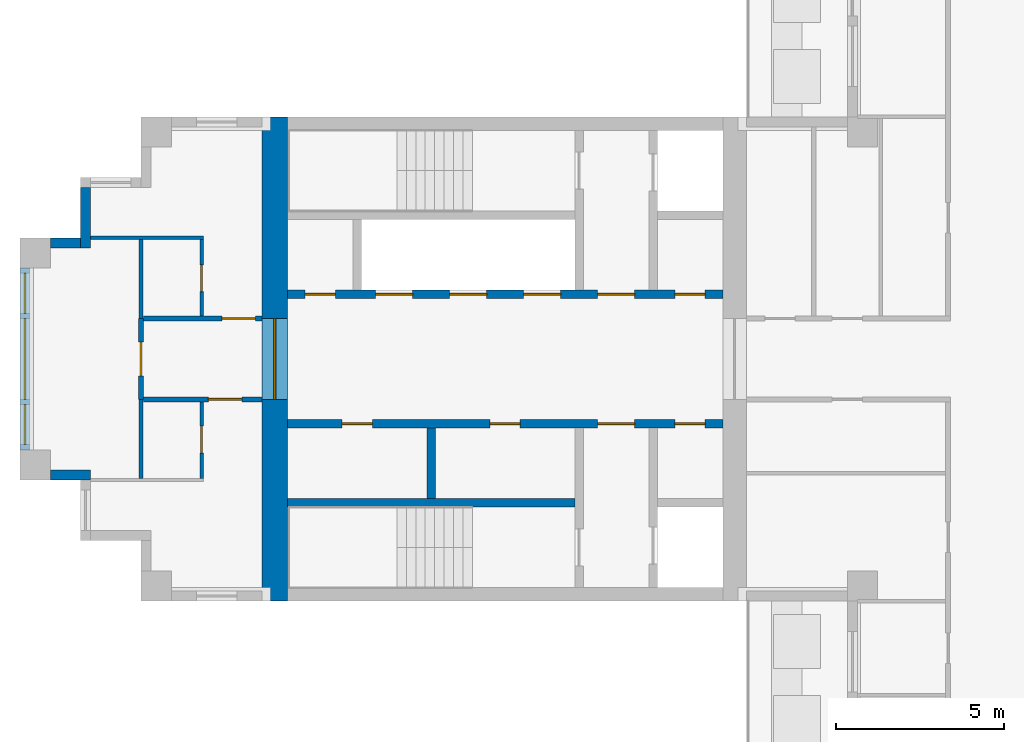
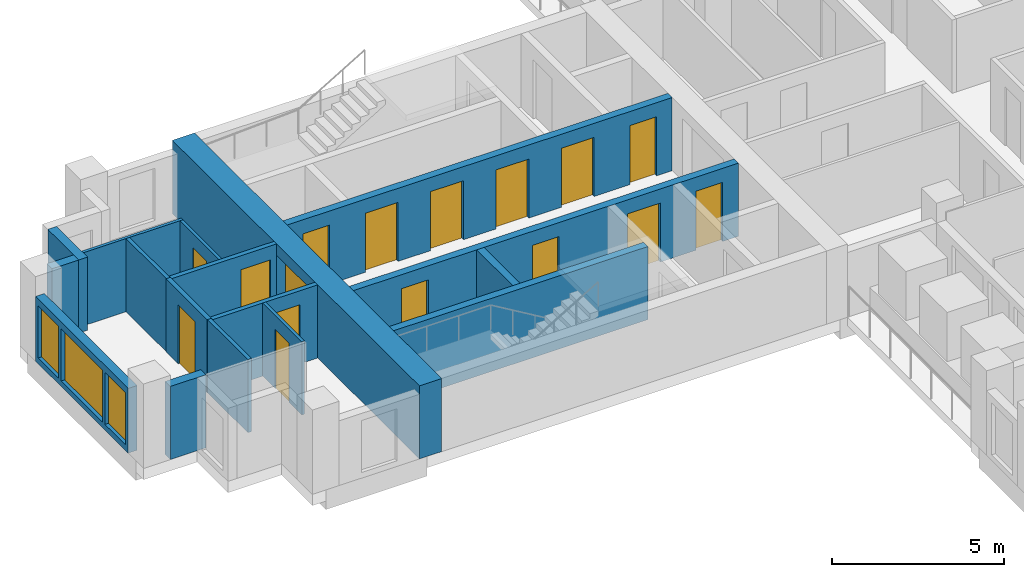
# One storey, part 3 of 10: 17 walls, 16 doors, 3 windows, 19 openings.
"""IFC4 building model written with IfcOpenShell, lengths in metres."""

from ifc_helpers import new_model, si_unit, direction, frame, frame_2d, origin, place, context, subcontext, project, spatial, rectangle, extrude, material, layer, layer_set, type_object, element, fill, save


model = new_model("IFC4")

# Units and contexts
model_context = context("Model", 3, precision=1e-05, world=origin(), true_north=direction((0.0, 1.0)))
body_context = subcontext(model_context, "Body", "Model", "MODEL_VIEW")
ifc_project = project(units=[si_unit("LENGTHUNIT", "METRE"), si_unit("AREAUNIT", "SQUARE_METRE"), si_unit("VOLUMEUNIT", "CUBIC_METRE"), si_unit("PLANEANGLEUNIT", "RADIAN"), si_unit("MASSUNIT", "GRAM", prefix="KILO")], contexts=[model_context])

# Site, building, storey
site_placement = place(None, origin())
site = spatial("IfcSite", under=ifc_project, at=site_placement, CompositionType="ELEMENT")
building_placement = place(site_placement, origin())
building = spatial("IfcBuilding", under=site, at=building_placement, Name="Fustian Cross Tower", CompositionType="ELEMENT")
storey_placement = place(building_placement, frame((0.0, 0.0, 201.89990234375)))
storey = spatial("IfcBuildingStorey", under=building, at=storey_placement, Name="L63", CompositionType="ELEMENT", Elevation=201.89990234375)

# Wall, opening, door
ifc_material_1 = material(Name="Plasterboard on steel stud", Category="steel")
ifc_layer_1 = layer(ifc_material_1, 0.14990234375)
ifc_layer_set_1 = layer_set([ifc_layer_1], Name="Plasterboard on steel stud")
wall_type_1 = type_object("IfcWallType", Name="COMPARTMENT WALL 150 EI 60", PredefinedType="PARTITIONING", material=ifc_layer_set_1)
wall_1_placement = place(storey_placement, frame((-25.199951171875, -1.199951171875, 0.0), z_axis=(0.0, 0.0, 1.0), x_axis=(0.0, 1.0, 0.0)))
wall_1 = element("IfcWall", 1, at=wall_1_placement, inside=storey, type_object=wall_type_1, Name="Partition 4", PredefinedType="PARTITIONING", context=body_context, shape_type="SweptSolid", body=[
    extrude(rectangle(XDim=2.39990234375, YDim=0.14990234375, at=frame_2d((1.199951171875, 0.0))), origin(), (0.0, 0.0, 1.0), 2.60009765625),
])
opening_1_placement = place(wall_1_placement, frame((0.699951171875, 0.0, 0.0)))
opening_1 = element("IfcOpeningElement", 2, at=opening_1_placement, cuts=wall_1, Name="Opening D29021", PredefinedType="OPENING", context=body_context, shape_type="SweptSolid", body=[
    extrude(rectangle(XDim=1.0, YDim=2.10009765625, at=frame_2d((0.5, 1.050048828125))), frame((0.0, 0.0849609375, 0.0), z_axis=(0.0, -1.0, 0.0), x_axis=(1.0, 0.0, 0.0)), (0.0, 0.0, 1.0), 0.169921875),
])
ifc_material_2 = material(Name="Timber fire door set", Category="wood")
door_type_1 = type_object("IfcDoorType", Name="FIRE SWING DOOR 1000 FD30S", OperationType="SINGLE_SWING_LEFT", PredefinedType="DOOR", material=ifc_material_2)
door_1_placement = place(opening_1_placement, origin())
door_1 = element("IfcDoor", 3, at=door_1_placement, inside=storey, type_object=door_type_1, Name="Door D29021", OperationType="SINGLE_SWING_LEFT", OverallHeight=2.10009765625, OverallWidth=1.0, PredefinedType="DOOR", context=body_context, shape_type="SweptSolid", body=[
    extrude(rectangle(XDim=1.0, YDim=2.10009765625, at=frame_2d((0.5, 1.050048828125))), frame((0.0, 0.02490234375, 0.0), z_axis=(0.0, -1.0, 0.0), x_axis=(1.0, 0.0, 0.0)), (0.0, 0.0, 1.0), 0.050048828125),
])
fill(opening_1, door_1)

wall_2_placement = place(storey_placement, frame((-25.125, -1.199951171875, 0.0), z_axis=(0.0, 0.0, 1.0), x_axis=(1.0, 0.0, 0.0)))
wall_2 = element("IfcWall", 4, at=wall_2_placement, inside=storey, type_object=wall_type_1, Name="Partition 5", PredefinedType="PARTITIONING", context=body_context, shape_type="SweptSolid", body=[
    extrude(rectangle(XDim=3.52490234375, YDim=0.14990234375, at=frame_2d((1.762451171875, 0.0))), origin(), (0.0, 0.0, 1.0), 2.60009765625),
])
opening_2_placement = place(wall_2_placement, frame((1.925048828125, 0.0, 0.0)))
opening_2 = element("IfcOpeningElement", 5, at=opening_2_placement, cuts=wall_2, Name="Opening D29023", PredefinedType="OPENING", context=body_context, shape_type="SweptSolid", body=[
    extrude(rectangle(XDim=1.0, YDim=2.10009765625, at=frame_2d((0.5, 1.050048828125))), frame((0.0, 0.0849609375, 0.0), z_axis=(0.0, -1.0, 0.0), x_axis=(1.0, 0.0, 0.0)), (0.0, 0.0, 1.0), 0.169921875),
])
door_2_placement = place(opening_2_placement, frame((1.0, 0.0, 0.0), z_axis=(0.0, 0.0, 1.0), x_axis=(-1.0, 0.0, 0.0)))
door_2 = element("IfcDoor", 6, at=door_2_placement, inside=storey, type_object=door_type_1, Name="Door D29023", OperationType="SINGLE_SWING_RIGHT", OverallHeight=2.10009765625, OverallWidth=1.0, PredefinedType="DOOR", context=body_context, shape_type="SweptSolid", body=[
    extrude(rectangle(XDim=1.0, YDim=2.10009765625, at=frame_2d((0.5, 1.050048828125))), frame((0.0, 0.02490234375, 0.0), z_axis=(0.0, -1.0, 0.0), x_axis=(1.0, 0.0, 0.0)), (0.0, 0.0, 1.0), 0.050048828125),
])
fill(opening_2, door_2)

wall_3_placement = place(storey_placement, frame((-25.125, 1.199951171875, 0.0), z_axis=(0.0, 0.0, 1.0), x_axis=(1.0, 0.0, 0.0)))
wall_3 = element("IfcWall", 7, at=wall_3_placement, inside=storey, type_object=wall_type_1, Name="Partition 7", PredefinedType="PARTITIONING", context=body_context, shape_type="SweptSolid", body=[
    extrude(rectangle(XDim=3.52490234375, YDim=0.14990234375, at=frame_2d((1.762451171875, 0.0))), origin(), (0.0, 0.0, 1.0), 2.60009765625),
])
opening_3_placement = place(wall_3_placement, frame((2.324951171875, 0.0, 0.0)))
opening_3 = element("IfcOpeningElement", 8, at=opening_3_placement, cuts=wall_3, Name="Opening D29025", PredefinedType="OPENING", context=body_context, shape_type="SweptSolid", body=[
    extrude(rectangle(XDim=1.0, YDim=2.10009765625, at=frame_2d((0.5, 1.050048828125))), frame((0.0, 0.0849609375, 0.0), z_axis=(0.0, -1.0, 0.0), x_axis=(1.0, 0.0, 0.0)), (0.0, 0.0, 1.0), 0.169921875),
])
door_3_placement = place(opening_3_placement, origin())
door_3 = element("IfcDoor", 9, at=door_3_placement, inside=storey, type_object=door_type_1, Name="Door D29025", OperationType="SINGLE_SWING_RIGHT", OverallHeight=2.10009765625, OverallWidth=1.0, PredefinedType="DOOR", context=body_context, shape_type="SweptSolid", body=[
    extrude(rectangle(XDim=1.0, YDim=2.10009765625, at=frame_2d((0.5, 1.050048828125))), frame((0.0, 0.02490234375, 0.0), z_axis=(0.0, -1.0, 0.0), x_axis=(1.0, 0.0, 0.0)), (0.0, 0.0, 1.0), 0.050048828125),
])
fill(opening_3, door_3)

ifc_material_3 = material(Name="Concrete C50/60", Category="concrete")
ifc_layer_2 = layer(ifc_material_3, 0.75)
ifc_layer_set_2 = layer_set([ifc_layer_2], Name="Concrete C50/60")
wall_type_2 = type_object("IfcWallType", Name="CORE END WALL 750 C50/60", PredefinedType="SHEAR", material=ifc_layer_set_2)
wall_4_placement = place(storey_placement, frame((-21.22509765625, -7.199951171875, 0.0), z_axis=(0.0, 0.0, 1.0), x_axis=(0.0, 1.0, 0.0)))
wall_4 = element("IfcWall", 10, at=wall_4_placement, inside=storey, type_object=wall_type_2, Name="Core end wall", PredefinedType="SHEAR", context=body_context, shape_type="SweptSolid", body=[
    extrude(rectangle(XDim=14.39990234375, YDim=0.75, at=frame_2d((7.199951171875, 0.0))), origin(), (0.0, 0.0, 1.0), 2.60009765625),
])
opening_4_placement = place(wall_4_placement, frame((6.0, 0.0, 0.0)))
opening_4 = element("IfcOpeningElement", 11, at=opening_4_placement, cuts=wall_4, Name="Opening CD-27-29", PredefinedType="OPENING", context=body_context, shape_type="SweptSolid", body=[
    extrude(rectangle(XDim=2.39990234375, YDim=2.199951171875, at=frame_2d((1.199951171875, 1.10009765625))), frame((0.0, 0.385009765625, 0.0), z_axis=(0.0, -1.0, 0.0), x_axis=(1.0, 0.0, 0.0)), (0.0, 0.0, 1.0), 0.77001953125),
])
ifc_material_4 = material(Name="Steel", Category="steel")
door_type_2 = type_object("IfcDoorType", Name="FIRE DOOR FD30S DOUBLE 2400X2200", OperationType="DOUBLE_DOOR_DOUBLE_SWING", PredefinedType="DOOR", material=ifc_material_4)
door_4_placement = place(opening_4_placement, frame((2.39990234375, 0.0, 0.0), z_axis=(0.0, 0.0, 1.0), x_axis=(-1.0, 0.0, 0.0)))
door_4 = element("IfcDoor", 12, at=door_4_placement, inside=storey, type_object=door_type_2, Name="Core door CD-27-29", OperationType="DOUBLE_DOOR_DOUBLE_SWING", OverallHeight=2.199951171875, OverallWidth=2.39990234375, PredefinedType="DOOR", context=body_context, shape_type="SweptSolid", body=[
    extrude(rectangle(XDim=2.39990234375, YDim=2.199951171875, at=frame_2d((1.199951171875, 1.10009765625))), frame((0.0, 0.02490234375, 0.0), z_axis=(0.0, -1.0, 0.0), x_axis=(1.0, 0.0, 0.0)), (0.0, 0.0, 1.0), 0.050048828125),
])
fill(opening_4, door_4)

# Wall, openings, doors
ifc_material_5 = material(Name="Concrete C50/60", Category="concrete")
ifc_layer_3 = layer(ifc_material_5, 0.25)
ifc_layer_set_3 = layer_set([ifc_layer_3], Name="Concrete C50/60")
wall_type_3 = type_object("IfcWallType", Name="CORE LOBBY WALL 250 C50/60", PredefinedType="SHEAR", material=ifc_layer_set_3)
wall_5_placement = place(storey_placement, frame((-7.89990234375, 1.925048828125, 0.0), z_axis=(0.0, 0.0, 1.0), x_axis=(-1.0, 0.0, 0.0)))
wall_5 = element("IfcWall", 13, at=wall_5_placement, inside=storey, type_object=wall_type_3, Name="Core lobby wall", PredefinedType="SHEAR", context=body_context, shape_type="SweptSolid", body=[
    extrude(rectangle(XDim=12.9501953125, YDim=0.25, at=frame_2d((6.47509765625, 0.0))), origin(), (0.0, 0.0, 1.0), 2.60009765625),
])
opening_5_placement = place(wall_5_placement, frame((4.824951171875, 0.0, 0.0)))
opening_5 = element("IfcOpeningElement", 14, at=opening_5_placement, cuts=wall_5, Name="Opening LD", PredefinedType="OPENING", context=body_context, shape_type="SweptSolid", body=[
    extrude(rectangle(XDim=1.10009765625, YDim=2.10009765625, at=frame_2d((0.550048828125, 1.050048828125))), frame((0.0, 0.135009765625, 0.0), z_axis=(0.0, -1.0, 0.0), x_axis=(1.0, 0.0, 0.0)), (0.0, 0.0, 1.0), 0.27001953125),
])
opening_6_placement = place(wall_5_placement, frame((7.02490234375, 0.0, 0.0)))
opening_6 = element("IfcOpeningElement", 15, at=opening_6_placement, cuts=wall_5, Name="Opening LD", PredefinedType="OPENING", context=body_context, shape_type="SweptSolid", body=[
    extrude(rectangle(XDim=1.10009765625, YDim=2.10009765625, at=frame_2d((0.550048828125, 1.050048828125))), frame((0.0, 0.135009765625, 0.0), z_axis=(0.0, -1.0, 0.0), x_axis=(1.0, 0.0, 0.0)), (0.0, 0.0, 1.0), 0.27001953125),
])
opening_7_placement = place(wall_5_placement, frame((9.22509765625, 0.0, 0.0)))
opening_7 = element("IfcOpeningElement", 16, at=opening_7_placement, cuts=wall_5, Name="Opening LD", PredefinedType="OPENING", context=body_context, shape_type="SweptSolid", body=[
    extrude(rectangle(XDim=1.10009765625, YDim=2.10009765625, at=frame_2d((0.550048828125, 1.050048828125))), frame((0.0, 0.135009765625, 0.0), z_axis=(0.0, -1.0, 0.0), x_axis=(1.0, 0.0, 0.0)), (0.0, 0.0, 1.0), 0.27001953125),
])
opening_8_placement = place(wall_5_placement, frame((0.52490234375, 0.0, 0.0)))
opening_8 = element("IfcOpeningElement", 17, at=opening_8_placement, cuts=wall_5, Name="Opening CD-27-24", PredefinedType="OPENING", context=body_context, shape_type="SweptSolid", body=[
    extrude(rectangle(XDim=0.89990234375, YDim=2.10009765625, at=frame_2d((0.449951171875, 1.050048828125))), frame((0.0, 0.135009765625, 0.0), z_axis=(0.0, -1.0, 0.0), x_axis=(1.0, 0.0, 0.0)), (0.0, 0.0, 1.0), 0.27001953125),
])
opening_9_placement = place(wall_5_placement, frame((2.625, 0.0, 0.0)))
opening_9 = element("IfcOpeningElement", 18, at=opening_9_placement, cuts=wall_5, Name="Opening CD-27-26", PredefinedType="OPENING", context=body_context, shape_type="SweptSolid", body=[
    extrude(rectangle(XDim=1.10009765625, YDim=2.10009765625, at=frame_2d((0.550048828125, 1.050048828125))), frame((0.0, 0.135009765625, 0.0), z_axis=(0.0, -1.0, 0.0), x_axis=(1.0, 0.0, 0.0)), (0.0, 0.0, 1.0), 0.27001953125),
])
opening_10_placement = place(wall_5_placement, frame((11.52490234375, 0.0, 0.0)))
opening_10 = element("IfcOpeningElement", 19, at=opening_10_placement, cuts=wall_5, Name="Opening CD-27-30", PredefinedType="OPENING", context=body_context, shape_type="SweptSolid", body=[
    extrude(rectangle(XDim=0.89990234375, YDim=2.10009765625, at=frame_2d((0.449951171875, 1.050048828125))), frame((0.0, 0.135009765625, 0.0), z_axis=(0.0, -1.0, 0.0), x_axis=(1.0, 0.0, 0.0)), (0.0, 0.0, 1.0), 0.27001953125),
])
ifc_material_6 = material(Name="Steel", Category="steel")
door_type_3 = type_object("IfcDoorType", Name="FIRE DOOR FD30S 900X2100", OperationType="SINGLE_SWING_LEFT", PredefinedType="DOOR", material=ifc_material_6)
door_5_placement = place(opening_10_placement, frame((0.89990234375, 0.0, 0.0), z_axis=(0.0, 0.0, 1.0), x_axis=(-1.0, 0.0, 0.0)))
door_5 = element("IfcDoor", 20, at=door_5_placement, inside=storey, type_object=door_type_3, Name="Core door CD-27-30", OperationType="SINGLE_SWING_RIGHT", OverallHeight=2.10009765625, OverallWidth=0.89990234375, PredefinedType="DOOR", context=body_context, shape_type="SweptSolid", body=[
    extrude(rectangle(XDim=0.89990234375, YDim=2.10009765625, at=frame_2d((0.449951171875, 1.050048828125))), frame((0.0, 0.02490234375, 0.0), z_axis=(0.0, -1.0, 0.0), x_axis=(1.0, 0.0, 0.0)), (0.0, 0.0, 1.0), 0.050048828125),
])
fill(opening_10, door_5)
ifc_material_7 = material(Name="Steel", Category="steel")
door_type_4 = type_object("IfcDoorType", Name="FIRE DOOR FD60S 1100X2100", OperationType="SINGLE_SWING_LEFT", PredefinedType="DOOR", material=ifc_material_7)
door_6_placement = place(opening_9_placement, frame((1.10009765625, 0.0, 0.0), z_axis=(0.0, 0.0, 1.0), x_axis=(-1.0, 0.0, 0.0)))
door_6 = element("IfcDoor", 21, at=door_6_placement, inside=storey, type_object=door_type_4, Name="Core door CD-27-26", OperationType="SINGLE_SWING_RIGHT", OverallHeight=2.10009765625, OverallWidth=1.10009765625, PredefinedType="DOOR", context=body_context, shape_type="SweptSolid", body=[
    extrude(rectangle(XDim=1.10009765625, YDim=2.10009765625, at=frame_2d((0.550048828125, 1.050048828125))), frame((0.0, 0.02490234375, 0.0), z_axis=(0.0, -1.0, 0.0), x_axis=(1.0, 0.0, 0.0)), (0.0, 0.0, 1.0), 0.050048828125),
])
fill(opening_9, door_6)
ifc_material_8 = material(Name="Steel", Category="steel")
door_type_5 = type_object("IfcDoorType", Name="FIRE DOOR FD60S 900X2100", OperationType="SINGLE_SWING_LEFT", PredefinedType="DOOR", material=ifc_material_8)
door_7_placement = place(opening_8_placement, frame((0.89990234375, 0.0, 0.0), z_axis=(0.0, 0.0, 1.0), x_axis=(-1.0, 0.0, 0.0)))
door_7 = element("IfcDoor", 22, at=door_7_placement, inside=storey, type_object=door_type_5, Name="Core door CD-27-24", OperationType="SINGLE_SWING_RIGHT", OverallHeight=2.10009765625, OverallWidth=0.89990234375, PredefinedType="DOOR", context=body_context, shape_type="SweptSolid", body=[
    extrude(rectangle(XDim=0.89990234375, YDim=2.10009765625, at=frame_2d((0.449951171875, 1.050048828125))), frame((0.0, 0.02490234375, 0.0), z_axis=(0.0, -1.0, 0.0), x_axis=(1.0, 0.0, 0.0)), (0.0, 0.0, 1.0), 0.050048828125),
])
fill(opening_8, door_7)
ifc_material_9 = material(Name="Stainless steel", Category="steel")
door_type_6 = type_object("IfcDoorType", Name="LIFT LANDING DOOR 1100X2100", OperationType="SLIDING_TO_LEFT", PredefinedType="DOOR", material=ifc_material_9)
door_8_placement = place(opening_5_placement, origin())
door_8 = element("IfcDoor", 23, at=door_8_placement, inside=storey, type_object=door_type_6, Name="Landing door HR1W", OperationType="SLIDING_TO_LEFT", OverallHeight=2.10009765625, OverallWidth=1.10009765625, PredefinedType="DOOR", context=body_context, shape_type="SweptSolid", body=[
    extrude(rectangle(XDim=1.10009765625, YDim=2.10009765625, at=frame_2d((0.550048828125, 1.050048828125))), frame((0.0, 0.02490234375, 0.0), z_axis=(0.0, -1.0, 0.0), x_axis=(1.0, 0.0, 0.0)), (0.0, 0.0, 1.0), 0.050048828125),
])
fill(opening_5, door_8)
door_9_placement = place(opening_6_placement, origin())
door_9 = element("IfcDoor", 24, at=door_9_placement, inside=storey, type_object=door_type_6, Name="Landing door HR2W", OperationType="SLIDING_TO_LEFT", OverallHeight=2.10009765625, OverallWidth=1.10009765625, PredefinedType="DOOR", context=body_context, shape_type="SweptSolid", body=[
    extrude(rectangle(XDim=1.10009765625, YDim=2.10009765625, at=frame_2d((0.550048828125, 1.050048828125))), frame((0.0, 0.02490234375, 0.0), z_axis=(0.0, -1.0, 0.0), x_axis=(1.0, 0.0, 0.0)), (0.0, 0.0, 1.0), 0.050048828125),
])
fill(opening_6, door_9)
door_10_placement = place(opening_7_placement, origin())
door_10 = element("IfcDoor", 25, at=door_10_placement, inside=storey, type_object=door_type_6, Name="Landing door HR3W", OperationType="SLIDING_TO_LEFT", OverallHeight=2.10009765625, OverallWidth=1.10009765625, PredefinedType="DOOR", context=body_context, shape_type="SweptSolid", body=[
    extrude(rectangle(XDim=1.10009765625, YDim=2.10009765625, at=frame_2d((0.550048828125, 1.050048828125))), frame((0.0, 0.02490234375, 0.0), z_axis=(0.0, -1.0, 0.0), x_axis=(1.0, 0.0, 0.0)), (0.0, 0.0, 1.0), 0.050048828125),
])
fill(opening_7, door_10)

wall_6_placement = place(storey_placement, frame((-7.89990234375, -1.925048828125, 0.0), z_axis=(0.0, 0.0, 1.0), x_axis=(-1.0, 0.0, 0.0)))
wall_6 = element("IfcWall", 26, at=wall_6_placement, inside=storey, type_object=wall_type_3, Name="Core lobby wall", PredefinedType="SHEAR", context=body_context, shape_type="SweptSolid", body=[
    extrude(rectangle(XDim=12.9501953125, YDim=0.25, at=frame_2d((6.47509765625, 0.0))), origin(), (0.0, 0.0, 1.0), 2.60009765625),
])
opening_11_placement = place(wall_6_placement, frame((0.52490234375, 0.0, 0.0)))
opening_11 = element("IfcOpeningElement", 27, at=opening_11_placement, cuts=wall_6, Name="Opening CD-27-25", PredefinedType="OPENING", context=body_context, shape_type="SweptSolid", body=[
    extrude(rectangle(XDim=0.89990234375, YDim=2.10009765625, at=frame_2d((0.449951171875, 1.050048828125))), frame((0.0, 0.135009765625, 0.0), z_axis=(0.0, -1.0, 0.0), x_axis=(1.0, 0.0, 0.0)), (0.0, 0.0, 1.0), 0.27001953125),
])
opening_12_placement = place(wall_6_placement, frame((2.625, 0.0, 0.0)))
opening_12 = element("IfcOpeningElement", 28, at=opening_12_placement, cuts=wall_6, Name="Opening CD-27-27", PredefinedType="OPENING", context=body_context, shape_type="SweptSolid", body=[
    extrude(rectangle(XDim=1.10009765625, YDim=2.10009765625, at=frame_2d((0.550048828125, 1.050048828125))), frame((0.0, 0.135009765625, 0.0), z_axis=(0.0, -1.0, 0.0), x_axis=(1.0, 0.0, 0.0)), (0.0, 0.0, 1.0), 0.27001953125),
])
opening_13_placement = place(wall_6_placement, frame((6.02490234375, 0.0, 0.0)))
opening_13 = element("IfcOpeningElement", 29, at=opening_13_placement, cuts=wall_6, Name="Opening CD-27-31", PredefinedType="OPENING", context=body_context, shape_type="SweptSolid", body=[
    extrude(rectangle(XDim=0.89990234375, YDim=2.10009765625, at=frame_2d((0.449951171875, 1.050048828125))), frame((0.0, 0.135009765625, 0.0), z_axis=(0.0, -1.0, 0.0), x_axis=(1.0, 0.0, 0.0)), (0.0, 0.0, 1.0), 0.27001953125),
])
opening_14_placement = place(wall_6_placement, frame((10.425048828125, 0.0, 0.0)))
opening_14 = element("IfcOpeningElement", 30, at=opening_14_placement, cuts=wall_6, Name="Opening CD-27-32", PredefinedType="OPENING", context=body_context, shape_type="SweptSolid", body=[
    extrude(rectangle(XDim=0.89990234375, YDim=2.10009765625, at=frame_2d((0.449951171875, 1.050048828125))), frame((0.0, 0.135009765625, 0.0), z_axis=(0.0, -1.0, 0.0), x_axis=(1.0, 0.0, 0.0)), (0.0, 0.0, 1.0), 0.27001953125),
])
ifc_material_10 = material(Name="Steel", Category="steel")
door_type_7 = type_object("IfcDoorType", Name="FIRE DOOR FD30S 1100X2100", OperationType="SINGLE_SWING_LEFT", PredefinedType="DOOR", material=ifc_material_10)
door_11_placement = place(opening_12_placement, frame((1.10009765625, 0.0, 0.0), z_axis=(0.0, 0.0, 1.0), x_axis=(-1.0, 0.0, 0.0)))
door_11 = element("IfcDoor", 31, at=door_11_placement, inside=storey, type_object=door_type_7, Name="Core door CD-27-27", OperationType="SINGLE_SWING_RIGHT", OverallHeight=2.10009765625, OverallWidth=1.10009765625, PredefinedType="DOOR", context=body_context, shape_type="SweptSolid", body=[
    extrude(rectangle(XDim=1.10009765625, YDim=2.10009765625, at=frame_2d((0.550048828125, 1.050048828125))), frame((0.0, 0.02490234375, 0.0), z_axis=(0.0, -1.0, 0.0), x_axis=(1.0, 0.0, 0.0)), (0.0, 0.0, 1.0), 0.050048828125),
])
fill(opening_12, door_11)
door_12_placement = place(opening_11_placement, origin())
door_12 = element("IfcDoor", 32, at=door_12_placement, inside=storey, type_object=door_type_3, Name="Core door CD-27-25", OperationType="SINGLE_SWING_LEFT", OverallHeight=2.10009765625, OverallWidth=0.89990234375, PredefinedType="DOOR", context=body_context, shape_type="SweptSolid", body=[
    extrude(rectangle(XDim=0.89990234375, YDim=2.10009765625, at=frame_2d((0.449951171875, 1.050048828125))), frame((0.0, 0.02490234375, 0.0), z_axis=(0.0, -1.0, 0.0), x_axis=(1.0, 0.0, 0.0)), (0.0, 0.0, 1.0), 0.050048828125),
])
fill(opening_11, door_12)
door_13_placement = place(opening_13_placement, origin())
door_13 = element("IfcDoor", 33, at=door_13_placement, inside=storey, type_object=door_type_3, Name="Core door CD-27-31", OperationType="SINGLE_SWING_RIGHT", OverallHeight=2.10009765625, OverallWidth=0.89990234375, PredefinedType="DOOR", context=body_context, shape_type="SweptSolid", body=[
    extrude(rectangle(XDim=0.89990234375, YDim=2.10009765625, at=frame_2d((0.449951171875, 1.050048828125))), frame((0.0, 0.02490234375, 0.0), z_axis=(0.0, -1.0, 0.0), x_axis=(1.0, 0.0, 0.0)), (0.0, 0.0, 1.0), 0.050048828125),
])
fill(opening_13, door_13)
door_14_placement = place(opening_14_placement, origin())
door_14 = element("IfcDoor", 34, at=door_14_placement, inside=storey, type_object=door_type_3, Name="Core door CD-27-32", OperationType="SINGLE_SWING_RIGHT", OverallHeight=2.10009765625, OverallWidth=0.89990234375, PredefinedType="DOOR", context=body_context, shape_type="SweptSolid", body=[
    extrude(rectangle(XDim=0.89990234375, YDim=2.10009765625, at=frame_2d((0.449951171875, 1.050048828125))), frame((0.0, 0.02490234375, 0.0), z_axis=(0.0, -1.0, 0.0), x_axis=(1.0, 0.0, 0.0)), (0.0, 0.0, 1.0), 0.050048828125),
])
fill(opening_14, door_14)

# Walls
ifc_material_11 = material(Name="Concrete C50/60", Category="concrete")
ifc_layer_4 = layer(ifc_material_11, 0.25)
ifc_layer_set_4 = layer_set([ifc_layer_4], Name="Concrete C50/60")
wall_type_4 = type_object("IfcWallType", Name="CORE SHAFT WALL 250 C50/60", PredefinedType="SHEAR", material=ifc_layer_set_4)
wall_7_placement = place(storey_placement, frame((-12.300048828125, -4.27490234375, 0.0), z_axis=(0.0, 0.0, 1.0), x_axis=(-1.0, 0.0, 0.0)))
element("IfcWall", 35, at=wall_7_placement, inside=storey, type_object=wall_type_4, Name="Core shaft wall", PredefinedType="SHEAR", context=body_context, shape_type="SweptSolid", body=[
    extrude(rectangle(XDim=8.550048828125, YDim=0.25, at=frame_2d((4.27490234375, 0.0))), origin(), (0.0, 0.0, 1.0), 2.60009765625),
])
ifc_material_12 = material(Name="Plasterboard on steel stud", Category="steel")
ifc_layer_5 = layer(ifc_material_12, 0.10009765625)
ifc_layer_set_5 = layer_set([ifc_layer_5], Name="Plasterboard on steel stud")
wall_type_5 = type_object("IfcWallType", Name="PARTITION 100 STUD", PredefinedType="PARTITIONING", material=ifc_layer_set_5)
wall_8_placement = place(storey_placement, frame((-26.699951171875, 3.60009765625, 0.0), z_axis=(0.0, 0.0, 1.0), x_axis=(1.0, 0.0, 0.0)))
element("IfcWall", 36, at=wall_8_placement, inside=storey, type_object=wall_type_5, Name="Partition 2", PredefinedType="PARTITIONING", context=body_context, shape_type="SweptSolid", body=[
    extrude(rectangle(XDim=3.349853515625, YDim=0.10009765625, at=frame_2d((1.6748046875, 0.0))), origin(), (0.0, 0.0, 1.0), 2.60009765625),
])

# Wall, opening, door
wall_9_placement = place(storey_placement, frame((-23.39990234375, -3.550048828125, 0.0), z_axis=(0.0, 0.0, 1.0), x_axis=(0.0, 1.0, 0.0)))
wall_9 = element("IfcWall", 37, at=wall_9_placement, inside=storey, type_object=wall_type_5, Name="Partition 8", PredefinedType="PARTITIONING", context=body_context, shape_type="SweptSolid", body=[
    extrude(rectangle(XDim=2.275146484375, YDim=0.10009765625, at=frame_2d((1.1376953125, 0.0))), origin(), (0.0, 0.0, 1.0), 2.60009765625),
])
opening_15_placement = place(wall_9_placement, frame((0.75, 0.0, 0.0)))
opening_15 = element("IfcOpeningElement", 38, at=opening_15_placement, cuts=wall_9, Name="Opening D29022", PredefinedType="OPENING", context=body_context, shape_type="SweptSolid", body=[
    extrude(rectangle(XDim=0.800048828125, YDim=2.10009765625, at=frame_2d((0.39990234375, 1.050048828125))), frame((0.0, 0.06005859375, 0.0), z_axis=(0.0, -1.0, 0.0), x_axis=(1.0, 0.0, 0.0)), (0.0, 0.0, 1.0), 0.1201171875),
])
ifc_material_13 = material(Name="Painted timber", Category="wood")
door_type_8 = type_object("IfcDoorType", Name="SWING DOOR 800", OperationType="SINGLE_SWING_LEFT", PredefinedType="DOOR", material=ifc_material_13)
door_15_placement = place(opening_15_placement, origin())
door_15 = element("IfcDoor", 39, at=door_15_placement, inside=storey, type_object=door_type_8, Name="Door D29022", OperationType="SINGLE_SWING_LEFT", OverallHeight=2.10009765625, OverallWidth=0.800048828125, PredefinedType="DOOR", context=body_context, shape_type="SweptSolid", body=[
    extrude(rectangle(XDim=0.800048828125, YDim=2.10009765625, at=frame_2d((0.39990234375, 1.050048828125))), frame((0.0, 0.02490234375, 0.0), z_axis=(0.0, -1.0, 0.0), x_axis=(1.0, 0.0, 0.0)), (0.0, 0.0, 1.0), 0.050048828125),
])
fill(opening_15, door_15)

wall_10_placement = place(storey_placement, frame((-23.39990234375, 1.27490234375, 0.0), z_axis=(0.0, 0.0, 1.0), x_axis=(0.0, 1.0, 0.0)))
wall_10 = element("IfcWall", 40, at=wall_10_placement, inside=storey, type_object=wall_type_5, Name="Partition 9", PredefinedType="PARTITIONING", context=body_context, shape_type="SweptSolid", body=[
    extrude(rectangle(XDim=2.275146484375, YDim=0.10009765625, at=frame_2d((1.1376953125, 0.0))), origin(), (0.0, 0.0, 1.0), 2.60009765625),
])
opening_16_placement = place(wall_10_placement, frame((0.72509765625, 0.0, 0.0)))
opening_16 = element("IfcOpeningElement", 41, at=opening_16_placement, cuts=wall_10, Name="Opening D29024", PredefinedType="OPENING", context=body_context, shape_type="SweptSolid", body=[
    extrude(rectangle(XDim=0.800048828125, YDim=2.10009765625, at=frame_2d((0.39990234375, 1.050048828125))), frame((0.0, 0.06005859375, 0.0), z_axis=(0.0, -1.0, 0.0), x_axis=(1.0, 0.0, 0.0)), (0.0, 0.0, 1.0), 0.1201171875),
])
door_16_placement = place(opening_16_placement, origin())
door_16 = element("IfcDoor", 42, at=door_16_placement, inside=storey, type_object=door_type_8, Name="Door D29024", OperationType="SINGLE_SWING_LEFT", OverallHeight=2.10009765625, OverallWidth=0.800048828125, PredefinedType="DOOR", context=body_context, shape_type="SweptSolid", body=[
    extrude(rectangle(XDim=0.800048828125, YDim=2.10009765625, at=frame_2d((0.39990234375, 1.050048828125))), frame((0.0, 0.02490234375, 0.0), z_axis=(0.0, -1.0, 0.0), x_axis=(1.0, 0.0, 0.0)), (0.0, 0.0, 1.0), 0.050048828125),
])
fill(opening_16, door_16)

# Walls
ifc_material_14 = material(Name="Concrete C40/50", Category="concrete")
ifc_layer_6 = layer(ifc_material_14, 0.25)
ifc_layer_set_6 = layer_set([ifc_layer_6], Name="Concrete C40/50")
wall_type_6 = type_object("IfcWallType", Name="SHAFT PARTITION WALL 250 C40/50", PredefinedType="PARTITIONING", material=ifc_layer_set_6)
wall_11_placement = place(storey_placement, frame((-16.574951171875, -2.050048828125, 0.0), z_axis=(0.0, 0.0, 1.0), x_axis=(0.0, -1.0, 0.0)))
element("IfcWall", 43, at=wall_11_placement, inside=storey, type_object=wall_type_6, Name="Core shaft wall", PredefinedType="PARTITIONING", context=body_context, shape_type="SweptSolid", body=[
    extrude(rectangle(XDim=2.099853515625, YDim=0.25, at=frame_2d((1.0498046875, 0.0))), origin(), (0.0, 0.0, 1.0), 2.60009765625),
])
ifc_material_15 = material(Name="Plasterboard on steel stud", Category="steel")
ifc_layer_7 = layer(ifc_material_15, 0.125)
ifc_layer_set_7 = layer_set([ifc_layer_7], Name="Plasterboard on steel stud")
wall_type_7 = type_object("IfcWallType", Name="WET WALL 125 STUD", PredefinedType="PARTITIONING", material=ifc_layer_set_7)
for number, where, z_axis, x_axis, name in (
    (44, (-25.199951171875, -3.550048828125, 0.0), (0.0, 0.0, 1.0), (0.0, 1.0, 0.0), "Partition 3"),
    (45, (-25.199951171875, 1.199951171875, 0.0), (0.0, 0.0, 1.0), (0.0, 1.0, 0.0), "Partition 6"),
):
    element("IfcWall", number, at=place(storey_placement, frame(where, z_axis=z_axis, x_axis=x_axis)), inside=storey, type_object=wall_type_7, Name=name, PredefinedType="PARTITIONING", context=body_context, shape_type="SweptSolid", body=[
        extrude(rectangle(XDim=2.35009765625, YDim=0.125, at=frame_2d((1.175048828125, 0.0))), origin(), (0.0, 0.0, 1.0), 2.60009765625),
    ])
ifc_material_16 = material(Name="Dark aluminium cladding on insulated backing wall", Category="aluminium")
ifc_layer_8 = layer(ifc_material_16, 0.300048828125)
ifc_layer_set_8 = layer_set([ifc_layer_8], Name="Dark aluminium cladding on insulated backing wall")
wall_type_8 = type_object("IfcWallType", Name="XW1 EXTERNAL WALL 300", PredefinedType="SOLIDWALL", material=ifc_layer_set_8)
wall_12_placement = place(storey_placement, frame((-26.85009765625, 5.10009765625, 0.0), z_axis=(0.0, 0.0, 1.0), x_axis=(0.0, -1.0, 0.0)))
element("IfcWall", 46, at=wall_12_placement, inside=storey, type_object=wall_type_8, Name="External wall", PredefinedType="SOLIDWALL", context=body_context, shape_type="SweptSolid", body=[
    extrude(rectangle(XDim=1.800048828125, YDim=0.300048828125, at=frame_2d((0.89990234375, 0.0))), origin(), (0.0, 0.0, 1.0), 2.60009765625),
])
wall_13_placement = place(storey_placement, frame((-27.0, 3.449951171875, 0.0), z_axis=(0.0, 0.0, 1.0), x_axis=(-1.0, 0.0, 0.0)))
element("IfcWall", 47, at=wall_13_placement, inside=storey, type_object=wall_type_8, Name="External wall", PredefinedType="SOLIDWALL", context=body_context, shape_type="SweptSolid", body=[
    extrude(rectangle(XDim=0.89990234375, YDim=0.300048828125, at=frame_2d((0.449951171875, 0.0))), origin(), (0.0, 0.0, 1.0), 2.60009765625),
])

# Wall, openings, windows
wall_14_placement = place(storey_placement, frame((-28.64990234375, 2.699951171875, 0.0), z_axis=(0.0, 0.0, 1.0), x_axis=(0.0, -1.0, 0.0)))
wall_14 = element("IfcWall", 48, at=wall_14_placement, inside=storey, type_object=wall_type_8, Name="External wall", PredefinedType="SOLIDWALL", context=body_context, shape_type="SweptSolid", body=[
    extrude(rectangle(XDim=5.39990234375, YDim=0.300048828125, at=frame_2d((2.699951171875, 0.0))), origin(), (0.0, 0.0, 1.0), 2.300048828125),
])
opening_17_placement = place(wall_14_placement, frame((1.5, 0.0, 0.199951171875)))
opening_17 = element("IfcOpeningElement", 49, at=opening_17_placement, cuts=wall_14, Name="Opening WN1", PredefinedType="OPENING", context=body_context, shape_type="SweptSolid", body=[
    extrude(rectangle(XDim=2.39990234375, YDim=1.85009765625, at=frame_2d((1.199951171875, 0.925048828125))), frame((0.0, 0.159912109375, 0.0), z_axis=(0.0, -1.0, 0.0), x_axis=(1.0, 0.0, 0.0)), (0.0, 0.0, 1.0), 0.320068359375),
])
opening_18_placement = place(wall_14_placement, frame((0.14990234375, 0.0, 0.199951171875)))
opening_18 = element("IfcOpeningElement", 50, at=opening_18_placement, cuts=wall_14, Name="Opening WN3", PredefinedType="OPENING", context=body_context, shape_type="SweptSolid", body=[
    extrude(rectangle(XDim=1.199951171875, YDim=1.85009765625, at=frame_2d((0.60009765625, 0.925048828125))), frame((0.0, 0.159912109375, 0.0), z_axis=(0.0, -1.0, 0.0), x_axis=(1.0, 0.0, 0.0)), (0.0, 0.0, 1.0), 0.320068359375),
])
opening_19_placement = place(wall_14_placement, frame((4.050048828125, 0.0, 0.199951171875)))
opening_19 = element("IfcOpeningElement", 51, at=opening_19_placement, cuts=wall_14, Name="Opening WN3", PredefinedType="OPENING", context=body_context, shape_type="SweptSolid", body=[
    extrude(rectangle(XDim=1.199951171875, YDim=1.85009765625, at=frame_2d((0.60009765625, 0.925048828125))), frame((0.0, 0.159912109375, 0.0), z_axis=(0.0, -1.0, 0.0), x_axis=(1.0, 0.0, 0.0)), (0.0, 0.0, 1.0), 0.320068359375),
])
ifc_material_17 = material(Name="Dark anodised aluminium and double glazing", Category="aluminium")
window_type_1 = type_object("IfcWindowType", Name="WN1 WINDOW 2400X1850", PartitioningType="SINGLE_PANEL", PredefinedType="WINDOW", material=ifc_material_17)
window_1_placement = place(opening_17_placement, origin())
window_1 = element("IfcWindow", 52, at=window_1_placement, inside=storey, type_object=window_type_1, Name="Window", OverallHeight=1.85009765625, OverallWidth=2.39990234375, PartitioningType="SINGLE_PANEL", PredefinedType="WINDOW", context=body_context, shape_type="SweptSolid", body=[
    extrude(rectangle(XDim=2.39990234375, YDim=1.85009765625, at=frame_2d((1.199951171875, 0.925048828125))), frame((0.0, 0.030029296875, 0.0), z_axis=(0.0, -1.0, 0.0), x_axis=(1.0, 0.0, 0.0)), (0.0, 0.0, 1.0), 0.06005859375),
])
fill(opening_17, window_1)
ifc_material_18 = material(Name="Dark anodised aluminium and double glazing", Category="aluminium")
window_type_2 = type_object("IfcWindowType", Name="WN3 WINDOW 1200X1850", PartitioningType="SINGLE_PANEL", PredefinedType="WINDOW", material=ifc_material_18)
window_2_placement = place(opening_18_placement, origin())
window_2 = element("IfcWindow", 53, at=window_2_placement, inside=storey, type_object=window_type_2, Name="Window", OverallHeight=1.85009765625, OverallWidth=1.199951171875, PartitioningType="SINGLE_PANEL", PredefinedType="WINDOW", context=body_context, shape_type="SweptSolid", body=[
    extrude(rectangle(XDim=1.199951171875, YDim=1.85009765625, at=frame_2d((0.60009765625, 0.925048828125))), frame((0.0, 0.030029296875, 0.0), z_axis=(0.0, -1.0, 0.0), x_axis=(1.0, 0.0, 0.0)), (0.0, 0.0, 1.0), 0.06005859375),
])
fill(opening_18, window_2)
window_3_placement = place(opening_19_placement, origin())
window_3 = element("IfcWindow", 54, at=window_3_placement, inside=storey, type_object=window_type_2, Name="Window", OverallHeight=1.85009765625, OverallWidth=1.199951171875, PartitioningType="SINGLE_PANEL", PredefinedType="WINDOW", context=body_context, shape_type="SweptSolid", body=[
    extrude(rectangle(XDim=1.199951171875, YDim=1.85009765625, at=frame_2d((0.60009765625, 0.925048828125))), frame((0.0, 0.030029296875, 0.0), z_axis=(0.0, -1.0, 0.0), x_axis=(1.0, 0.0, 0.0)), (0.0, 0.0, 1.0), 0.06005859375),
])
fill(opening_19, window_3)

# Wall
wall_15_placement = place(storey_placement, frame((-27.89990234375, -3.449951171875, 0.0), z_axis=(0.0, 0.0, 1.0), x_axis=(1.0, 0.0, 0.0)))
element("IfcWall", 55, at=wall_15_placement, inside=storey, type_object=wall_type_8, Name="External wall", PredefinedType="SOLIDWALL", context=body_context, shape_type="SweptSolid", body=[
    extrude(rectangle(XDim=1.199951171875, YDim=0.300048828125, at=frame_2d((0.60009765625, 0.0))), origin(), (0.0, 0.0, 1.0), 2.60009765625),
])

save(model, "model.ifc")
